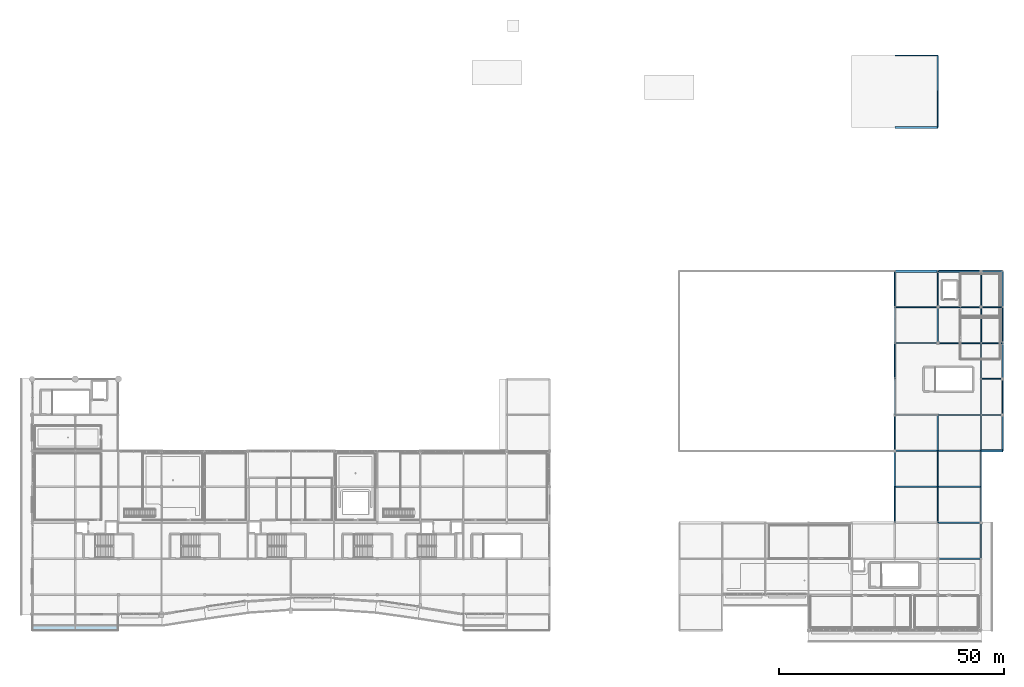
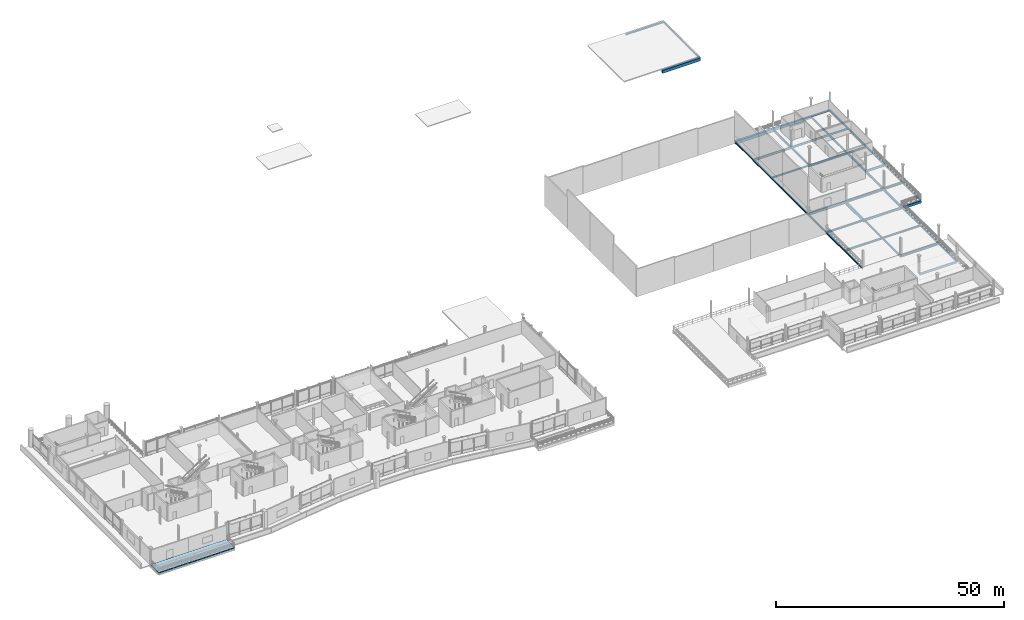
# One storey, part 33 of 59: 49 beams, 1 slab.
"""IFC4 building model written with IfcOpenShell, lengths in metres."""

from ifc_helpers import new_model, si_unit, direction, frame, origin, origin_2d, place, context, subcontext, project, spatial, polyline, rectangle, i_section, outline, extrude, material, layer, layer_set, material_profile, profile_set, type_object, element, save


model = new_model("IFC4")

# Units and contexts
model_context = context("Model", 3, precision=1e-05, world=origin(), true_north=direction((0.0, 1.0)))
body_context = subcontext(model_context, "Body", "Model", "MODEL_VIEW")
ifc_project = project(units=[si_unit("LENGTHUNIT", "METRE"), si_unit("AREAUNIT", "SQUARE_METRE"), si_unit("VOLUMEUNIT", "CUBIC_METRE"), si_unit("PLANEANGLEUNIT", "RADIAN"), si_unit("MASSUNIT", "GRAM", prefix="KILO")], contexts=[model_context])

# Site, building, storey
site_placement = place(None, origin())
site = spatial("IfcSite", under=ifc_project, at=site_placement, CompositionType="ELEMENT")
building_placement = place(site_placement, origin())
building = spatial("IfcBuilding", under=site, at=building_placement, Name="Danafjord Basin Convention Centre", CompositionType="ELEMENT")
storey_placement = place(building_placement, frame((0.0, 0.0, 15.89990234375)))
storey = spatial("IfcBuildingStorey", under=building, at=storey_placement, Name="L03", CompositionType="ELEMENT", Elevation=15.89990234375)

# Beams
ifc_material_1 = material(Name="Steel S355", Category="steel")
ifc_material_profile_1 = material_profile(ifc_material_1, i_section(OverallWidth=0.300048828125, OverallDepth=0.389892578125, WebThickness=0.010986328125, FlangeThickness=0.01904296875, FilletRadius=0.027099609375, at=origin_2d()), Name="HEA 400")
ifc_profile_set_1 = profile_set([ifc_material_profile_1], Name="Steel S355")
beam_type_1 = type_object("IfcBeamType", Name="BEAM-BM-HEA400", PredefinedType="BEAM", material=ifc_profile_set_1)
beam_1_placement = place(storey_placement, frame((192.0, 64.0, -0.4248046875), z_axis=(1.0, 0.0, 0.0), x_axis=(0.0, 1.0, 0.0)))
element("IfcBeam", 1, at=beam_1_placement, inside=storey, type_object=beam_type_1, Name="L03 girder BM-HEA400", PredefinedType="BEAM", context=body_context, shape_type="SweptSolid", body=[
    extrude(i_section(OverallWidth=0.300048828125, OverallDepth=0.389892578125, WebThickness=0.010986328125, FlangeThickness=0.01904296875, FilletRadius=0.027099609375, at=origin_2d()), origin(), (0.0, 0.0, 1.0), 9.60009765625),
])
beam_2_placement = place(storey_placement, frame((211.199951171875, 48.0, -0.430908203125), z_axis=(1.0, 0.0, 0.0), x_axis=(0.0, 1.0, 0.0)))
element("IfcBeam", 2, at=beam_2_placement, inside=storey, type_object=beam_type_1, Name="L03 girder BM-HEA400", PredefinedType="BEAM", context=body_context, shape_type="SweptSolid", body=[
    extrude(i_section(OverallWidth=0.300048828125, OverallDepth=0.389892578125, WebThickness=0.010986328125, FlangeThickness=0.01904296875, FilletRadius=0.027099609375, at=origin_2d()), origin(), (0.0, 0.0, 1.0), 4.800048828125),
])
ifc_material_profile_2 = material_profile(ifc_material_1, i_section(OverallWidth=0.300048828125, OverallDepth=0.489990234375, WebThickness=0.011962890625, FlangeThickness=0.02294921875, FilletRadius=0.027099609375, at=origin_2d()), Name="HEA 500")
ifc_profile_set_2 = profile_set([ifc_material_profile_2], Name="Steel S355")
beam_type_2 = type_object("IfcBeamType", Name="BEAM-BM-HEA500", PredefinedType="BEAM", material=ifc_profile_set_2)
beam_3_placement = place(storey_placement, frame((201.60009765625, 48.0, -0.48095703125), z_axis=(1.0, 0.0, 0.0), x_axis=(0.0, 1.0, 0.0)))
element("IfcBeam", 3, at=beam_3_placement, inside=storey, type_object=beam_type_2, Name="L03 girder BM-HEA500", PredefinedType="BEAM", context=body_context, shape_type="SweptSolid", body=[
    extrude(i_section(OverallWidth=0.300048828125, OverallDepth=0.489990234375, WebThickness=0.011962890625, FlangeThickness=0.02294921875, FilletRadius=0.027099609375, at=origin_2d()), origin(), (0.0, 0.0, 1.0), 9.599853515625),
])
ifc_material_profile_3 = material_profile(ifc_material_1, i_section(OverallWidth=0.300048828125, OverallDepth=0.590087890625, WebThickness=0.012939453125, FlangeThickness=0.02490234375, FilletRadius=0.027099609375, at=origin_2d()), Name="HEA 600")
ifc_profile_set_3 = profile_set([ifc_material_profile_3], Name="Steel S355")
beam_type_3 = type_object("IfcBeamType", Name="BEAM-BM-HEA600", PredefinedType="BEAM", material=ifc_profile_set_3)
beam_4_placement = place(storey_placement, frame((192.0, 48.0, -0.531005859375), z_axis=(1.0, 0.0, 0.0), x_axis=(0.0, 1.0, 0.0)))
element("IfcBeam", 4, at=beam_4_placement, inside=storey, type_object=beam_type_3, Name="L03 girder BM-HEA600", PredefinedType="BEAM", context=body_context, shape_type="SweptSolid", body=[
    extrude(i_section(OverallWidth=0.300048828125, OverallDepth=0.590087890625, WebThickness=0.012939453125, FlangeThickness=0.02490234375, FilletRadius=0.027099609375, at=origin_2d()), origin(), (0.0, 0.0, 1.0), 9.60009765625),
])
beam_5_placement = place(storey_placement, frame((201.60009765625, 40.0, -0.531005859375), z_axis=(1.0, 0.0, 0.0), x_axis=(0.0, 1.0, 0.0)))
element("IfcBeam", 5, at=beam_5_placement, inside=storey, type_object=beam_type_3, Name="L03 girder BM-HEA600", PredefinedType="BEAM", context=body_context, shape_type="SweptSolid", body=[
    extrude(i_section(OverallWidth=0.300048828125, OverallDepth=0.590087890625, WebThickness=0.012939453125, FlangeThickness=0.02490234375, FilletRadius=0.027099609375, at=origin_2d()), origin(), (0.0, 0.0, 1.0), 9.599853515625),
])
ifc_material_profile_4 = material_profile(ifc_material_1, i_section(OverallWidth=0.300048828125, OverallDepth=0.449951171875, WebThickness=0.013916015625, FlangeThickness=0.02587890625, FilletRadius=0.027099609375, at=origin_2d()), Name="HEB 450")
ifc_profile_set_4 = profile_set([ifc_material_profile_4], Name="Steel S355")
beam_type_4 = type_object("IfcBeamType", Name="BEAM-BM-HEB450", PredefinedType="BEAM", material=ifc_profile_set_4)
beam_6_placement = place(storey_placement, frame((192.0, 40.0, -0.4609375), z_axis=(1.0, 0.0, 0.0), x_axis=(0.0, 1.0, 0.0)))
element("IfcBeam", 6, at=beam_6_placement, inside=storey, type_object=beam_type_4, Name="L03 girder BM-HEB450", PredefinedType="BEAM", context=body_context, shape_type="SweptSolid", body=[
    extrude(i_section(OverallWidth=0.300048828125, OverallDepth=0.449951171875, WebThickness=0.013916015625, FlangeThickness=0.02587890625, FilletRadius=0.027099609375, at=origin_2d()), origin(), (0.0, 0.0, 1.0), 9.60009765625),
])
beam_7_placement = place(storey_placement, frame((201.60009765625, 32.0, -0.4609375), z_axis=(1.0, 0.0, 0.0), x_axis=(0.0, 1.0, 0.0)))
element("IfcBeam", 7, at=beam_7_placement, inside=storey, type_object=beam_type_4, Name="L03 girder BM-HEB450", PredefinedType="BEAM", context=body_context, shape_type="SweptSolid", body=[
    extrude(i_section(OverallWidth=0.300048828125, OverallDepth=0.449951171875, WebThickness=0.013916015625, FlangeThickness=0.02587890625, FilletRadius=0.027099609375, at=origin_2d()), origin(), (0.0, 0.0, 1.0), 9.599853515625),
])
ifc_material_profile_5 = material_profile(ifc_material_1, i_section(OverallWidth=0.300048828125, OverallDepth=0.5, WebThickness=0.014404296875, FlangeThickness=0.028076171875, FilletRadius=0.027099609375, at=origin_2d()), Name="HEB 500")
ifc_profile_set_5 = profile_set([ifc_material_profile_5], Name="Steel S355")
beam_type_5 = type_object("IfcBeamType", Name="BEAM-BM-HEB500", PredefinedType="BEAM", material=ifc_profile_set_5)
beam_8_placement = place(storey_placement, frame((192.0, 32.0, -0.48583984375), z_axis=(1.0, 0.0, 0.0), x_axis=(0.0, 1.0, 0.0)))
element("IfcBeam", 8, at=beam_8_placement, inside=storey, type_object=beam_type_5, Name="L03 girder BM-HEB500", PredefinedType="BEAM", context=body_context, shape_type="SweptSolid", body=[
    extrude(i_section(OverallWidth=0.300048828125, OverallDepth=0.5, WebThickness=0.014404296875, FlangeThickness=0.028076171875, FilletRadius=0.027099609375, at=origin_2d()), origin(), (0.0, 0.0, 1.0), 9.60009765625),
])
beam_9_placement = place(storey_placement, frame((201.60009765625, 24.0, -0.48583984375), z_axis=(1.0, 0.0, 0.0), x_axis=(0.0, 1.0, 0.0)))
element("IfcBeam", 9, at=beam_9_placement, inside=storey, type_object=beam_type_5, Name="L03 girder BM-HEB500", PredefinedType="BEAM", context=body_context, shape_type="SweptSolid", body=[
    extrude(i_section(OverallWidth=0.300048828125, OverallDepth=0.5, WebThickness=0.014404296875, FlangeThickness=0.028076171875, FilletRadius=0.027099609375, at=origin_2d()), origin(), (0.0, 0.0, 1.0), 9.599853515625),
])
for number, where, z_axis, x_axis, name in (
    (10, (201.60009765625, 64.0, -0.47998046875), (0.0, 1.0, 0.0), (-1.0, 0.0, 0.0), "L03 transverse girder BM-HEB500"),
    (11, (211.199951171875, 56.0, -0.47998046875), (0.0, 1.0, 0.0), (-1.0, 0.0, 0.0), "L03 transverse girder BM-HEB500"),
):
    element("IfcBeam", number, at=place(storey_placement, frame(where, z_axis=z_axis, x_axis=x_axis)), inside=storey, type_object=beam_type_5, Name=name, PredefinedType="BEAM", context=body_context, shape_type="SweptSolid", body=[
        extrude(i_section(OverallWidth=0.300048828125, OverallDepth=0.5, WebThickness=0.014404296875, FlangeThickness=0.028076171875, FilletRadius=0.027099609375, at=origin_2d()), origin(), (0.0, 0.0, 1.0), 8.0),
    ])
ifc_material_profile_6 = material_profile(ifc_material_1, i_section(OverallWidth=0.300048828125, OverallDepth=0.550048828125, WebThickness=0.014892578125, FlangeThickness=0.029052734375, FilletRadius=0.027099609375, at=origin_2d()), Name="HEB 550")
ifc_profile_set_6 = profile_set([ifc_material_profile_6], Name="Steel S355")
beam_type_6 = type_object("IfcBeamType", Name="BEAM-BM-HEB550", PredefinedType="BEAM", material=ifc_profile_set_6)
beam_10_placement = place(storey_placement, frame((201.60009765625, 16.0, -0.4990234375), z_axis=(1.0, 0.0, 0.0), x_axis=(0.0, 1.0, 0.0)))
element("IfcBeam", 12, at=beam_10_placement, inside=storey, type_object=beam_type_6, Name="L03 girder BM-HEB550", PredefinedType="BEAM", context=body_context, shape_type="SweptSolid", body=[
    extrude(i_section(OverallWidth=0.300048828125, OverallDepth=0.550048828125, WebThickness=0.014892578125, FlangeThickness=0.029052734375, FilletRadius=0.027099609375, at=origin_2d()), origin(), (0.0, 0.0, 1.0), 9.599853515625),
])
ifc_material_profile_7 = material_profile(ifc_material_1, i_section(OverallWidth=0.300048828125, OverallDepth=0.60009765625, WebThickness=0.015380859375, FlangeThickness=0.030029296875, FilletRadius=0.027099609375, at=origin_2d()), Name="HEB 600")
ifc_profile_set_7 = profile_set([ifc_material_profile_7], Name="Steel S355")
beam_type_7 = type_object("IfcBeamType", Name="BEAM-BM-HEB600", PredefinedType="BEAM", material=ifc_profile_set_7)
beam_11_placement = place(storey_placement, frame((211.199951171875, 48.0, -0.52978515625), z_axis=(0.0, 1.0, 0.0), x_axis=(-1.0, 0.0, 0.0)))
element("IfcBeam", 13, at=beam_11_placement, inside=storey, type_object=beam_type_7, Name="L03 transverse girder BM-HEB600", PredefinedType="BEAM", context=body_context, shape_type="SweptSolid", body=[
    extrude(i_section(OverallWidth=0.300048828125, OverallDepth=0.60009765625, WebThickness=0.015380859375, FlangeThickness=0.030029296875, FilletRadius=0.027099609375, at=origin_2d()), origin(), (0.0, 0.0, 1.0), 8.0),
])
ifc_material_profile_8 = material_profile(ifc_material_1, i_section(OverallWidth=0.300048828125, OverallDepth=0.699951171875, WebThickness=0.01708984375, FlangeThickness=0.031982421875, FilletRadius=0.027099609375, at=origin_2d()), Name="HEB 700")
ifc_profile_set_8 = profile_set([ifc_material_profile_8], Name="Steel S355")
beam_type_8 = type_object("IfcBeamType", Name="BEAM-BM-HEB700", PredefinedType="BEAM", material=ifc_profile_set_8)
beam_12_placement = place(storey_placement, frame((211.199951171875, 40.0, -0.5859375), z_axis=(0.0, 1.0, 0.0), x_axis=(-1.0, 0.0, 0.0)))
element("IfcBeam", 14, at=beam_12_placement, inside=storey, type_object=beam_type_8, Name="L03 transverse girder BM-HEB700", PredefinedType="BEAM", context=body_context, shape_type="SweptSolid", body=[
    extrude(i_section(OverallWidth=0.300048828125, OverallDepth=0.699951171875, WebThickness=0.01708984375, FlangeThickness=0.031982421875, FilletRadius=0.027099609375, at=origin_2d()), origin(), (0.0, 0.0, 1.0), 8.0),
])
ifc_material_profile_9 = material_profile(ifc_material_1, i_section(OverallWidth=0.300048828125, OverallDepth=0.89990234375, WebThickness=0.0185546875, FlangeThickness=0.034912109375, FilletRadius=0.030029296875, at=origin_2d()), Name="HEB 900")
ifc_profile_set_9 = profile_set([ifc_material_profile_9], Name="Steel S355")
beam_type_9 = type_object("IfcBeamType", Name="BEAM-BM-HEB900", PredefinedType="BEAM", material=ifc_profile_set_9)
beam_13_placement = place(storey_placement, frame((201.60009765625, 40.0, -0.685791015625), z_axis=(0.0, 1.0, 0.0), x_axis=(-1.0, 0.0, 0.0)))
element("IfcBeam", 15, at=beam_13_placement, inside=storey, type_object=beam_type_9, Name="L03 transverse girder BM-HEB900", PredefinedType="BEAM", context=body_context, shape_type="SweptSolid", body=[
    extrude(i_section(OverallWidth=0.300048828125, OverallDepth=0.89990234375, WebThickness=0.0185546875, FlangeThickness=0.034912109375, FilletRadius=0.030029296875, at=origin_2d()), origin(), (0.0, 0.0, 1.0), 8.0),
])
ifc_material_profile_10 = material_profile(ifc_material_1, i_section(OverallWidth=0.199951171875, OverallDepth=0.5, WebThickness=0.01025390625, FlangeThickness=0.01611328125, FilletRadius=0.02099609375, at=origin_2d()), Name="IPE 500")
ifc_profile_set_10 = profile_set([ifc_material_profile_10], Name="Steel S355")
beam_type_10 = type_object("IfcBeamType", Name="BEAM-BM-IPE500", PredefinedType="BEAM", material=ifc_profile_set_10)
beam_14_placement = place(storey_placement, frame((211.199951171875, 72.0, -0.47998046875), z_axis=(1.0, 0.0, 0.0), x_axis=(0.0, 1.0, 0.0)))
element("IfcBeam", 16, at=beam_14_placement, inside=storey, type_object=beam_type_10, Name="L03 girder BM-IPE500", PredefinedType="BEAM", context=body_context, shape_type="SweptSolid", body=[
    extrude(i_section(OverallWidth=0.199951171875, OverallDepth=0.5, WebThickness=0.01025390625, FlangeThickness=0.01611328125, FilletRadius=0.02099609375, at=origin_2d()), origin(), (0.0, 0.0, 1.0), 4.800048828125),
])
ifc_material_profile_11 = material_profile(ifc_material_1, i_section(OverallWidth=0.2099609375, OverallDepth=0.550048828125, WebThickness=0.010986328125, FlangeThickness=0.01708984375, FilletRadius=0.02392578125, at=origin_2d()), Name="IPE 550")
ifc_profile_set_11 = profile_set([ifc_material_profile_11], Name="Steel S355")
beam_type_11 = type_object("IfcBeamType", Name="BEAM-BM-IPE550", PredefinedType="BEAM", material=ifc_profile_set_11)
beam_15_placement = place(storey_placement, frame((201.60009765625, 72.0, -0.5048828125), z_axis=(1.0, 0.0, 0.0), x_axis=(0.0, 1.0, 0.0)))
element("IfcBeam", 17, at=beam_15_placement, inside=storey, type_object=beam_type_11, Name="L03 girder BM-IPE550", PredefinedType="BEAM", context=body_context, shape_type="SweptSolid", body=[
    extrude(i_section(OverallWidth=0.2099609375, OverallDepth=0.550048828125, WebThickness=0.010986328125, FlangeThickness=0.01708984375, FilletRadius=0.02392578125, at=origin_2d()), origin(), (0.0, 0.0, 1.0), 9.599853515625),
])
beam_16_placement = place(storey_placement, frame((211.199951171875, 64.0, -0.5048828125), z_axis=(1.0, 0.0, 0.0), x_axis=(0.0, 1.0, 0.0)))
element("IfcBeam", 18, at=beam_16_placement, inside=storey, type_object=beam_type_11, Name="L03 girder BM-IPE550", PredefinedType="BEAM", context=body_context, shape_type="SweptSolid", body=[
    extrude(i_section(OverallWidth=0.2099609375, OverallDepth=0.550048828125, WebThickness=0.010986328125, FlangeThickness=0.01708984375, FilletRadius=0.02392578125, at=origin_2d()), origin(), (0.0, 0.0, 1.0), 4.800048828125),
])
for number, where, z_axis, x_axis, name in (
    (19, (201.60009765625, 32.0, -0.510986328125), (0.0, 1.0, 0.0), (-1.0, 0.0, 0.0), "L03 transverse girder BM-IPE550"),
    (20, (211.199951171875, 72.0, -0.5048828125), (0.0, 1.0, 0.0), (-1.0, 0.0, 0.0), "L03 transverse girder BM-IPE550"),
):
    element("IfcBeam", number, at=place(storey_placement, frame(where, z_axis=z_axis, x_axis=x_axis)), inside=storey, type_object=beam_type_11, Name=name, PredefinedType="BEAM", context=body_context, shape_type="SweptSolid", body=[
        extrude(i_section(OverallWidth=0.2099609375, OverallDepth=0.550048828125, WebThickness=0.010986328125, FlangeThickness=0.01708984375, FilletRadius=0.02392578125, at=origin_2d()), origin(), (0.0, 0.0, 1.0), 8.0),
    ])
ifc_material_profile_12 = material_profile(ifc_material_1, i_section(OverallWidth=0.219970703125, OverallDepth=0.60009765625, WebThickness=0.011962890625, FlangeThickness=0.01904296875, FilletRadius=0.02392578125, at=origin_2d()), Name="IPE 600")
ifc_profile_set_12 = profile_set([ifc_material_profile_12], Name="Steel S355")
beam_type_12 = type_object("IfcBeamType", Name="BEAM-BM-IPE600", PredefinedType="BEAM", material=ifc_profile_set_12)
beam_17_placement = place(storey_placement, frame((192.0, 72.0, -0.52978515625), z_axis=(1.0, 0.0, 0.0), x_axis=(0.0, 1.0, 0.0)))
element("IfcBeam", 21, at=beam_17_placement, inside=storey, type_object=beam_type_12, Name="L03 girder BM-IPE600", PredefinedType="BEAM", context=body_context, shape_type="SweptSolid", body=[
    extrude(i_section(OverallWidth=0.219970703125, OverallDepth=0.60009765625, WebThickness=0.011962890625, FlangeThickness=0.01904296875, FilletRadius=0.02392578125, at=origin_2d()), origin(), (0.0, 0.0, 1.0), 9.60009765625),
])
beam_18_placement = place(storey_placement, frame((201.60009765625, 64.0, -0.52978515625), z_axis=(1.0, 0.0, 0.0), x_axis=(0.0, 1.0, 0.0)))
element("IfcBeam", 22, at=beam_18_placement, inside=storey, type_object=beam_type_12, Name="L03 girder BM-IPE600", PredefinedType="BEAM", context=body_context, shape_type="SweptSolid", body=[
    extrude(i_section(OverallWidth=0.219970703125, OverallDepth=0.60009765625, WebThickness=0.011962890625, FlangeThickness=0.01904296875, FilletRadius=0.02392578125, at=origin_2d()), origin(), (0.0, 0.0, 1.0), 9.599853515625),
])
beam_19_placement = place(storey_placement, frame((211.199951171875, 56.0, -0.52978515625), z_axis=(1.0, 0.0, 0.0), x_axis=(0.0, 1.0, 0.0)))
element("IfcBeam", 23, at=beam_19_placement, inside=storey, type_object=beam_type_12, Name="L03 girder BM-IPE600", PredefinedType="BEAM", context=body_context, shape_type="SweptSolid", body=[
    extrude(i_section(OverallWidth=0.219970703125, OverallDepth=0.60009765625, WebThickness=0.011962890625, FlangeThickness=0.01904296875, FilletRadius=0.02392578125, at=origin_2d()), origin(), (0.0, 0.0, 1.0), 4.800048828125),
])
for number, where, z_axis, x_axis, name in (
    (24, (201.60009765625, 24.0, -0.535888671875), (0.0, 1.0, 0.0), (-1.0, 0.0, 0.0), "L03 transverse girder BM-IPE600"),
    (25, (201.60009765625, 72.0, -0.52978515625), (0.0, 1.0, 0.0), (-1.0, 0.0, 0.0), "L03 transverse girder BM-IPE600"),
    (26, (211.199951171875, 64.0, -0.52978515625), (0.0, 1.0, 0.0), (-1.0, 0.0, 0.0), "L03 transverse girder BM-IPE600"),
):
    element("IfcBeam", number, at=place(storey_placement, frame(where, z_axis=z_axis, x_axis=x_axis)), inside=storey, type_object=beam_type_12, Name=name, PredefinedType="BEAM", context=body_context, shape_type="SweptSolid", body=[
        extrude(i_section(OverallWidth=0.219970703125, OverallDepth=0.60009765625, WebThickness=0.011962890625, FlangeThickness=0.01904296875, FilletRadius=0.02392578125, at=origin_2d()), origin(), (0.0, 0.0, 1.0), 8.0),
    ])
ifc_material_profile_13 = material_profile(ifc_material_1, i_section(OverallWidth=0.300048828125, OverallDepth=0.39990234375, WebThickness=0.013427734375, FlangeThickness=0.02392578125, FilletRadius=0.027099609375, at=origin_2d()), Name="HEB 400")
ifc_profile_set_13 = profile_set([ifc_material_profile_13], Name="Steel S355")
beam_type_13 = type_object("IfcBeamType", Name="BEAM-SP-HEB400", PredefinedType="SPANDREL", material=ifc_profile_set_13)
beam_20_placement = place(storey_placement, frame((192.0, 128.0, -0.864990234375), z_axis=(1.0, 0.0, 0.0), x_axis=(0.0, 1.0, 0.0)))
element("IfcBeam", 27, at=beam_20_placement, inside=storey, type_object=beam_type_13, Name="L03 girder SP-HEB400", PredefinedType="SPANDREL", context=body_context, shape_type="SweptSolid", body=[
    extrude(i_section(OverallWidth=0.300048828125, OverallDepth=0.39990234375, WebThickness=0.013427734375, FlangeThickness=0.02392578125, FilletRadius=0.027099609375, at=origin_2d()), origin(), (0.0, 0.0, 1.0), 9.60009765625),
])
beam_21_placement = place(storey_placement, frame((211.199951171875, 80.0, -0.429931640625), z_axis=(1.0, 0.0, 0.0), x_axis=(0.0, 1.0, 0.0)))
element("IfcBeam", 28, at=beam_21_placement, inside=storey, type_object=beam_type_13, Name="L03 girder SP-HEB400", PredefinedType="SPANDREL", context=body_context, shape_type="SweptSolid", body=[
    extrude(i_section(OverallWidth=0.300048828125, OverallDepth=0.39990234375, WebThickness=0.013427734375, FlangeThickness=0.02392578125, FilletRadius=0.027099609375, at=origin_2d()), origin(), (0.0, 0.0, 1.0), 4.800048828125),
])
for number, where, z_axis, x_axis, name in (
    (29, (192.0, 32.0, -0.435791015625), (0.0, 1.0, 0.0), (-1.0, 0.0, 0.0), "L03 transverse girder SP-HEB400"),
    (30, (192.0, 48.0, -0.429931640625), (0.0, 1.0, 0.0), (-1.0, 0.0, 0.0), "L03 transverse girder SP-HEB400"),
    (31, (192.0, 64.0, -0.429931640625), (0.0, 1.0, 0.0), (-1.0, 0.0, 0.0), "L03 transverse girder SP-HEB400"),
    (32, (201.60009765625, 120.0, -0.864990234375), (0.0, 1.0, 0.0), (-1.0, 0.0, 0.0), "L03 transverse girder SP-HEB400"),
    (33, (211.199951171875, 16.0, -0.423828125), (0.0, 1.0, 0.0), (-1.0, 0.0, 0.0), "L03 transverse girder SP-HEB400"),
    (34, (211.199951171875, 32.0, -0.435791015625), (0.0, 1.0, 0.0), (-1.0, 0.0, 0.0), "L03 transverse girder SP-HEB400"),
    (35, (216.0, 40.0, -0.435791015625), (0.0, 1.0, 0.0), (-1.0, 0.0, 0.0), "L03 transverse girder SP-HEB400"),
    (36, (216.0, 56.0, -0.429931640625), (0.0, 1.0, 0.0), (-1.0, 0.0, 0.0), "L03 transverse girder SP-HEB400"),
    (37, (216.0, 72.0, -0.429931640625), (0.0, 1.0, 0.0), (-1.0, 0.0, 0.0), "L03 transverse girder SP-HEB400"),
):
    element("IfcBeam", number, at=place(storey_placement, frame(where, z_axis=z_axis, x_axis=x_axis)), inside=storey, type_object=beam_type_13, Name=name, PredefinedType="SPANDREL", context=body_context, shape_type="SweptSolid", body=[
        extrude(i_section(OverallWidth=0.300048828125, OverallDepth=0.39990234375, WebThickness=0.013427734375, FlangeThickness=0.02392578125, FilletRadius=0.027099609375, at=origin_2d()), origin(), (0.0, 0.0, 1.0), 8.0),
    ])
ifc_material_profile_14 = material_profile(ifc_material_1, i_section(OverallWidth=0.18994140625, OverallDepth=0.449951171875, WebThickness=0.009521484375, FlangeThickness=0.0146484375, FilletRadius=0.02099609375, at=origin_2d()), Name="IPE 450")
ifc_profile_set_14 = profile_set([ifc_material_profile_14], Name="Steel S355")
beam_type_14 = type_object("IfcBeamType", Name="BEAM-SP-IPE450", PredefinedType="SPANDREL", material=ifc_profile_set_14)
for number, where, z_axis, x_axis, name in (
    (38, (192.0, 24.0, -0.4609375), (0.0, 1.0, 0.0), (-1.0, 0.0, 0.0), "L03 transverse girder SP-IPE450"),
    (39, (192.0, 40.0, -0.4609375), (0.0, 1.0, 0.0), (-1.0, 0.0, 0.0), "L03 transverse girder SP-IPE450"),
    (40, (192.0, 56.0, -0.454833984375), (0.0, 1.0, 0.0), (-1.0, 0.0, 0.0), "L03 transverse girder SP-IPE450"),
    (41, (192.0, 72.0, -0.454833984375), (0.0, 1.0, 0.0), (-1.0, 0.0, 0.0), "L03 transverse girder SP-IPE450"),
    (42, (201.60009765625, 112.0, -0.889892578125), (0.0, 1.0, 0.0), (-1.0, 0.0, 0.0), "L03 transverse girder SP-IPE450"),
    (43, (211.199951171875, 24.0, -0.4609375), (0.0, 1.0, 0.0), (-1.0, 0.0, 0.0), "L03 transverse girder SP-IPE450"),
    (44, (216.0, 48.0, -0.454833984375), (0.0, 1.0, 0.0), (-1.0, 0.0, 0.0), "L03 transverse girder SP-IPE450"),
    (45, (216.0, 64.0, -0.454833984375), (0.0, 1.0, 0.0), (-1.0, 0.0, 0.0), "L03 transverse girder SP-IPE450"),
):
    element("IfcBeam", number, at=place(storey_placement, frame(where, z_axis=z_axis, x_axis=x_axis)), inside=storey, type_object=beam_type_14, Name=name, PredefinedType="SPANDREL", context=body_context, shape_type="SweptSolid", body=[
        extrude(i_section(OverallWidth=0.18994140625, OverallDepth=0.449951171875, WebThickness=0.009521484375, FlangeThickness=0.0146484375, FilletRadius=0.02099609375, at=origin_2d()), origin(), (0.0, 0.0, 1.0), 8.0),
    ])
ifc_material_2 = material(Name="Precast concrete C45/55", Category="concrete")
ifc_material_profile_15 = material_profile(ifc_material_2, rectangle(XDim=0.39990234375, YDim=0.64990234375, at=origin_2d()), Name="PCB 400x650")
ifc_profile_set_15 = profile_set([ifc_material_profile_15], Name="Precast concrete C45/55")
beam_type_15 = type_object("IfcBeamType", Name="BEAM-SP-PCB650", PredefinedType="SPANDREL", material=ifc_profile_set_15)
beam_22_placement = place(storey_placement, frame((201.60009765625, 80.0, -0.554931640625), z_axis=(1.0, 0.0, 0.0), x_axis=(0.0, 1.0, 0.0)))
element("IfcBeam", 46, at=beam_22_placement, inside=storey, type_object=beam_type_15, Name="L03 girder SP-PCB650", PredefinedType="SPANDREL", context=body_context, shape_type="SweptSolid", body=[
    extrude(rectangle(XDim=0.39990234375, YDim=0.64990234375, at=origin_2d()), origin(), (0.0, 0.0, 1.0), 9.599853515625),
])
beam_23_placement = place(storey_placement, frame((211.199951171875, 40.0, -0.560791015625), z_axis=(1.0, 0.0, 0.0), x_axis=(0.0, 1.0, 0.0)))
element("IfcBeam", 47, at=beam_23_placement, inside=storey, type_object=beam_type_15, Name="L03 girder SP-PCB650", PredefinedType="SPANDREL", context=body_context, shape_type="SweptSolid", body=[
    extrude(rectangle(XDim=0.39990234375, YDim=0.64990234375, at=origin_2d()), origin(), (0.0, 0.0, 1.0), 4.800048828125),
])
ifc_material_profile_16 = material_profile(ifc_material_2, rectangle(XDim=0.5, YDim=0.800048828125, at=origin_2d()), Name="PCB 500x800")
ifc_profile_set_16 = profile_set([ifc_material_profile_16], Name="Precast concrete C45/55")
beam_type_16 = type_object("IfcBeamType", Name="BEAM-SP-PCB800", PredefinedType="SPANDREL", material=ifc_profile_set_16)
for number, where, z_axis, x_axis, name in (
    (48, (192.0, 80.0, -0.6298828125), (1.0, 0.0, 0.0), (0.0, 1.0, 0.0), "L03 girder SP-PCB800"),
    (49, (192.0, 112.0, -1.06494140625), (1.0, 0.0, 0.0), (0.0, 1.0, 0.0), "L03 girder SP-PCB800"),
):
    element("IfcBeam", number, at=place(storey_placement, frame(where, z_axis=z_axis, x_axis=x_axis)), inside=storey, type_object=beam_type_16, Name=name, PredefinedType="SPANDREL", context=body_context, shape_type="SweptSolid", body=[
        extrude(rectangle(XDim=0.5, YDim=0.800048828125, at=origin_2d()), origin(), (0.0, 0.0, 1.0), 9.60009765625),
    ])

# Slab
ifc_material_3 = material(Name="Precast concrete C40/50", Category="concrete")
ifc_layer = layer(ifc_material_3, 0.22607421875)
ifc_layer_set = layer_set([ifc_layer], Name="Precast concrete C40/50")
slab_type = type_object("IfcSlabType", Name="SLAB-TR-180", PredefinedType="FLOOR", material=ifc_layer_set)
slab_placement = place(storey_placement, frame((0.0, 0.0, -0.225830078125)))
element("IfcSlab", 50, at=slab_placement, inside=storey, type_object=slab_type, Name="L03 TR-180 slab SL-L03-TER-W", PredefinedType="FLOOR", context=body_context, shape_type="SweptSolid", body=[
    extrude(outline(polyline([(0.0, 0.0), (0.0, 3.60009765625), (19.199951171875, 3.60009765625), (19.199951171875, 0.0), (0.0, 0.0)])), origin(), (0.0, 0.0, 1.0), 0.225830078125),
])

save(model, "model.ifc")
